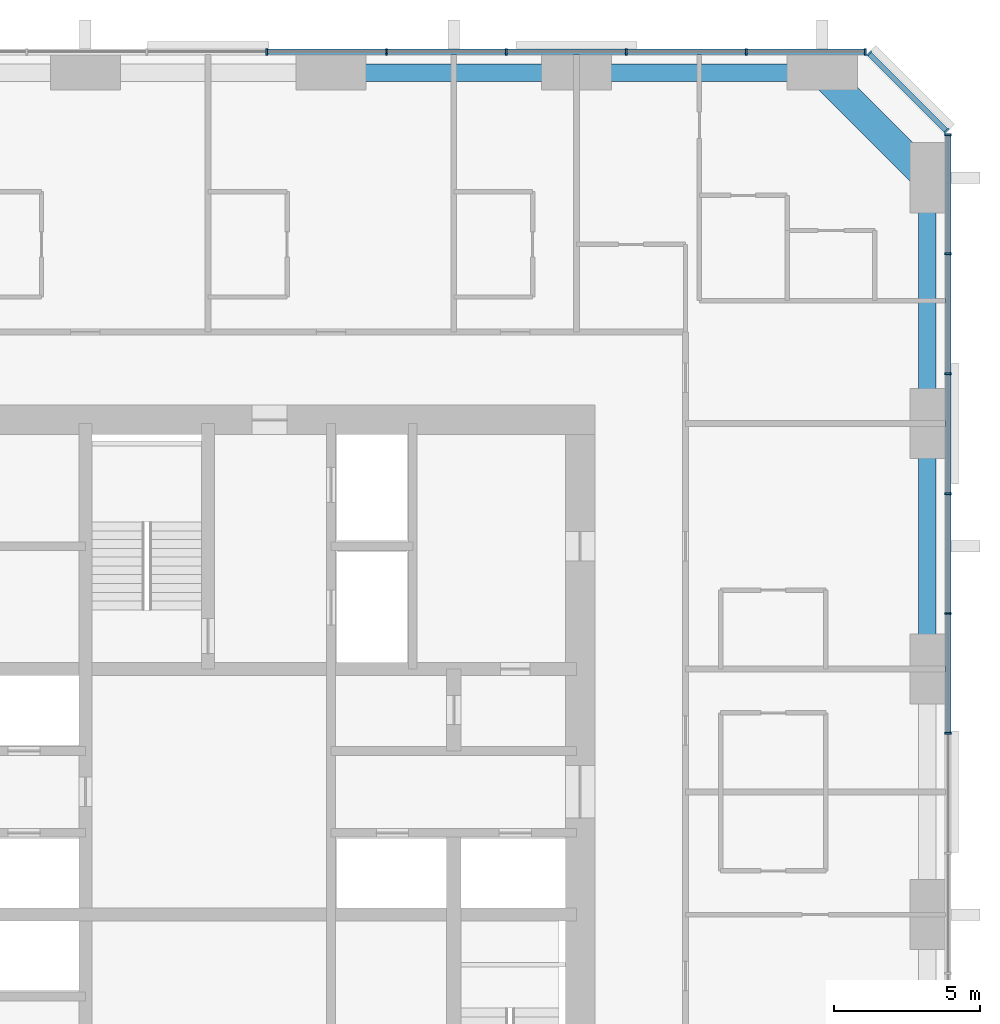
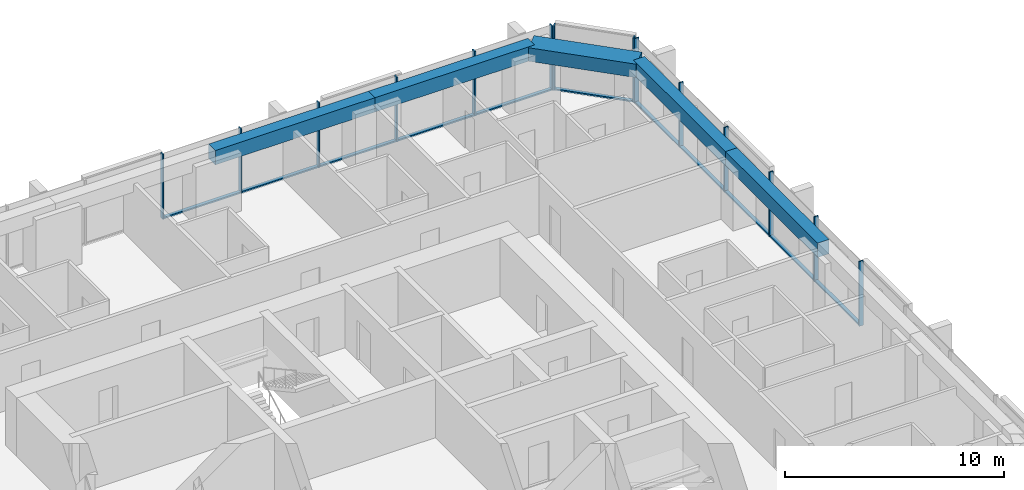
# One storey, part 6 of 14: 25 members, 5 beams, 3 elements without a shape of their own.
"""IFC4 building model written with IfcOpenShell, lengths in metres."""

from ifc_helpers import new_model, si_unit, direction, frame, origin, origin_2d, place, context, subcontext, project, spatial, rectangle, extrude, material, material_profile, profile_set, type_object, element, aggregate, save


model = new_model("IFC4")

# Units and contexts
model_context = context("Model", 3, precision=1e-05, world=origin(), true_north=direction((0.0, 1.0)))
body_context = subcontext(model_context, "Body", "Model", "MODEL_VIEW")
ifc_project = project(units=[si_unit("LENGTHUNIT", "METRE"), si_unit("AREAUNIT", "SQUARE_METRE"), si_unit("VOLUMEUNIT", "CUBIC_METRE"), si_unit("PLANEANGLEUNIT", "RADIAN"), si_unit("MASSUNIT", "GRAM", prefix="KILO")], contexts=[model_context])

# Site, building, storey
site_placement = place(None, origin())
site = spatial("IfcSite", under=ifc_project, at=site_placement, CompositionType="ELEMENT")
building_placement = place(site_placement, origin())
building = spatial("IfcBuilding", under=site, at=building_placement, Name="Dunama Terrace Hotel", CompositionType="ELEMENT")
storey_placement = place(building_placement, frame((0.0, 0.0, 140.39990234375)))
storey = spatial("IfcBuildingStorey", under=building, at=storey_placement, Name="L36", CompositionType="ELEMENT", Elevation=140.39990234375)

# Curtain wall, members
ifc_material_1 = material(Name="Aluminium curtain wall system", Category="aluminium")
curtain_wall_type = type_object("IfcCurtainWallType", Name="Unitised fritted glass wall CW-B", PredefinedType="NOTDEFINED", material=ifc_material_1)
curtain_wall_1_placement = place(storey_placement, origin())
curtain_wall_1 = element("IfcCurtainWall", 1, at=curtain_wall_1_placement, inside=storey, type_object=curtain_wall_type, Name="Unitised fritted glass wall CW-B L36", PredefinedType="NOTDEFINED")
ifc_material_2 = material(Name="Aluminium mullion", Category="aluminium")
ifc_material_profile_1 = material_profile(ifc_material_2, rectangle(XDim=0.06494140625, YDim=0.219970703125, at=origin_2d()), Name="CWB MULLION 65X220")
ifc_profile_set_1 = profile_set([ifc_material_profile_1], Name="Aluminium mullion")
member_type_1 = type_object("IfcMemberType", Name="CWB mullion 65x220", PredefinedType="MULLION", material=ifc_profile_set_1)
member_1_placement = place(storey_placement, frame((54.7099609375, 31.39990234375, 0.0), z_axis=(0.0, 0.0, 1.0), x_axis=(0.0, 1.0, 0.0)))
member_1 = element("IfcMember", 2, at=member_1_placement, type_object=member_type_1, Name="CWB mullion", PredefinedType="MULLION", context=body_context, shape_type="SweptSolid", body=[
    extrude(rectangle(XDim=0.06494140625, YDim=0.219970703125, at=origin_2d()), origin(), (0.0, 0.0, 1.0), 3.60009765625),
])
member_2_placement = place(storey_placement, frame((54.7099609375, 35.5, 0.0), z_axis=(0.0, 0.0, 1.0), x_axis=(0.0, 1.0, 0.0)))
member_2 = element("IfcMember", 3, at=member_2_placement, type_object=member_type_1, Name="CWB mullion", PredefinedType="MULLION", context=body_context, shape_type="SweptSolid", body=[
    extrude(rectangle(XDim=0.06494140625, YDim=0.219970703125, at=origin_2d()), origin(), (0.0, 0.0, 1.0), 3.60009765625),
])
member_3_placement = place(storey_placement, frame((54.7099609375, 39.60009765625, 0.0), z_axis=(0.0, 0.0, 1.0), x_axis=(0.0, 1.0, 0.0)))
member_3 = element("IfcMember", 4, at=member_3_placement, type_object=member_type_1, Name="CWB mullion", PredefinedType="MULLION", context=body_context, shape_type="SweptSolid", body=[
    extrude(rectangle(XDim=0.06494140625, YDim=0.219970703125, at=origin_2d()), origin(), (0.0, 0.0, 1.0), 3.60009765625),
])
member_4_placement = place(storey_placement, frame((54.7099609375, 43.699951171875, 0.0), z_axis=(0.0, 0.0, 1.0), x_axis=(0.0, 1.0, 0.0)))
member_4 = element("IfcMember", 5, at=member_4_placement, type_object=member_type_1, Name="CWB mullion", PredefinedType="MULLION", context=body_context, shape_type="SweptSolid", body=[
    extrude(rectangle(XDim=0.06494140625, YDim=0.219970703125, at=origin_2d()), origin(), (0.0, 0.0, 1.0), 3.60009765625),
])
member_5_placement = place(storey_placement, frame((54.7099609375, 47.800048828125, 0.0), z_axis=(0.0, 0.0, 1.0), x_axis=(0.0, 1.0, 0.0)))
member_5 = element("IfcMember", 6, at=member_5_placement, type_object=member_type_1, Name="CWB mullion", PredefinedType="MULLION", context=body_context, shape_type="SweptSolid", body=[
    extrude(rectangle(XDim=0.06494140625, YDim=0.219970703125, at=origin_2d()), origin(), (0.0, 0.0, 1.0), 3.60009765625),
])
member_6_placement = place(storey_placement, frame((54.7099609375, 51.866943359375, 0.0), z_axis=(0.0, 0.0, 1.0), x_axis=(0.0, 1.0, 0.0)))
member_6 = element("IfcMember", 7, at=member_6_placement, type_object=member_type_1, Name="CWB mullion", PredefinedType="MULLION", context=body_context, shape_type="SweptSolid", body=[
    extrude(rectangle(XDim=0.06494140625, YDim=0.219970703125, at=origin_2d()), origin(), (0.0, 0.0, 1.0), 3.60009765625),
])

curtain_wall_2_placement = place(storey_placement, origin())
curtain_wall_2 = element("IfcCurtainWall", 8, at=curtain_wall_2_placement, inside=storey, type_object=curtain_wall_type, Name="Unitised fritted glass wall CW-B L36", PredefinedType="NOTDEFINED")
member_7_placement = place(storey_placement, frame((54.655029296875, 52.0009765625, 0.0), z_axis=(0.0, 0.0, 1.0), x_axis=(-0.707106781187, 0.707106781187, 0.0)))
member_7 = element("IfcMember", 9, at=member_7_placement, type_object=member_type_1, Name="CWB mullion", PredefinedType="MULLION", context=body_context, shape_type="SweptSolid", body=[
    extrude(rectangle(XDim=0.06494140625, YDim=0.219970703125, at=origin_2d()), origin(), (0.0, 0.0, 1.0), 3.60009765625),
])
member_8_placement = place(storey_placement, frame((52.0009765625, 54.655029296875, 0.0), z_axis=(0.0, 0.0, 1.0), x_axis=(-0.707106781187, 0.707106781187, 0.0)))
member_8 = element("IfcMember", 10, at=member_8_placement, type_object=member_type_1, Name="CWB mullion", PredefinedType="MULLION", context=body_context, shape_type="SweptSolid", body=[
    extrude(rectangle(XDim=0.06494140625, YDim=0.219970703125, at=origin_2d()), origin(), (0.0, 0.0, 1.0), 3.60009765625),
])

curtain_wall_3_placement = place(storey_placement, origin())
curtain_wall_3 = element("IfcCurtainWall", 11, at=curtain_wall_3_placement, inside=storey, type_object=curtain_wall_type, Name="Unitised fritted glass wall CW-B L36", PredefinedType="NOTDEFINED")
member_9_placement = place(storey_placement, frame((51.866943359375, 54.7099609375, 0.0), z_axis=(0.0, 0.0, 1.0), x_axis=(-1.0, 0.0, 0.0)))
member_9 = element("IfcMember", 12, at=member_9_placement, type_object=member_type_1, Name="CWB mullion", PredefinedType="MULLION", context=body_context, shape_type="SweptSolid", body=[
    extrude(rectangle(XDim=0.06494140625, YDim=0.219970703125, at=origin_2d()), origin(), (0.0, 0.0, 1.0), 3.60009765625),
])
member_10_placement = place(storey_placement, frame((47.800048828125, 54.7099609375, 0.0), z_axis=(0.0, 0.0, 1.0), x_axis=(-1.0, 0.0, 0.0)))
member_10 = element("IfcMember", 13, at=member_10_placement, type_object=member_type_1, Name="CWB mullion", PredefinedType="MULLION", context=body_context, shape_type="SweptSolid", body=[
    extrude(rectangle(XDim=0.06494140625, YDim=0.219970703125, at=origin_2d()), origin(), (0.0, 0.0, 1.0), 3.60009765625),
])
member_11_placement = place(storey_placement, frame((43.699951171875, 54.7099609375, 0.0), z_axis=(0.0, 0.0, 1.0), x_axis=(-1.0, 0.0, 0.0)))
member_11 = element("IfcMember", 14, at=member_11_placement, type_object=member_type_1, Name="CWB mullion", PredefinedType="MULLION", context=body_context, shape_type="SweptSolid", body=[
    extrude(rectangle(XDim=0.06494140625, YDim=0.219970703125, at=origin_2d()), origin(), (0.0, 0.0, 1.0), 3.60009765625),
])
member_12_placement = place(storey_placement, frame((39.60009765625, 54.7099609375, 0.0), z_axis=(0.0, 0.0, 1.0), x_axis=(-1.0, 0.0, 0.0)))
member_12 = element("IfcMember", 15, at=member_12_placement, type_object=member_type_1, Name="CWB mullion", PredefinedType="MULLION", context=body_context, shape_type="SweptSolid", body=[
    extrude(rectangle(XDim=0.06494140625, YDim=0.219970703125, at=origin_2d()), origin(), (0.0, 0.0, 1.0), 3.60009765625),
])
member_13_placement = place(storey_placement, frame((35.5, 54.7099609375, 0.0), z_axis=(0.0, 0.0, 1.0), x_axis=(-1.0, 0.0, 0.0)))
member_13 = element("IfcMember", 16, at=member_13_placement, type_object=member_type_1, Name="CWB mullion", PredefinedType="MULLION", context=body_context, shape_type="SweptSolid", body=[
    extrude(rectangle(XDim=0.06494140625, YDim=0.219970703125, at=origin_2d()), origin(), (0.0, 0.0, 1.0), 3.60009765625),
])
member_14_placement = place(storey_placement, frame((31.39990234375, 54.7099609375, 0.0), z_axis=(0.0, 0.0, 1.0), x_axis=(-1.0, 0.0, 0.0)))
member_14 = element("IfcMember", 17, at=member_14_placement, type_object=member_type_1, Name="CWB mullion", PredefinedType="MULLION", context=body_context, shape_type="SweptSolid", body=[
    extrude(rectangle(XDim=0.06494140625, YDim=0.219970703125, at=origin_2d()), origin(), (0.0, 0.0, 1.0), 3.60009765625),
])

# Member
ifc_material_3 = material(Name="Aluminium transom", Category="aluminium")
ifc_material_profile_2 = material_profile(ifc_material_3, rectangle(XDim=0.179931640625, YDim=0.080078125, at=origin_2d()), Name="CWB TRANSOM 180X80")
ifc_profile_set_2 = profile_set([ifc_material_profile_2], Name="Aluminium transom")
member_type_2 = type_object("IfcMemberType", Name="CWB transom 180x80", PredefinedType="USERDEFINED", material=ifc_profile_set_2)
member_15_placement = place(storey_placement, frame((54.7099609375, 31.431884765625, 0.0400390625), z_axis=(0.0, 1.0, 0.0), x_axis=(-1.0, 0.0, 0.0)))
member_15 = element("IfcMember", 18, at=member_15_placement, type_object=member_type_2, Name="CWB transom", ObjectType="TRANSOM", PredefinedType="USERDEFINED", context=body_context, shape_type="SweptSolid", body=[
    extrude(rectangle(XDim=0.179931640625, YDim=0.080078125, at=origin_2d()), origin(), (0.0, 0.0, 1.0), 4.0361328125),
])

member_16_placement = place(storey_placement, frame((54.7099609375, 35.531982421875, 0.0400390625), z_axis=(0.0, 1.0, 0.0), x_axis=(-1.0, 0.0, 0.0)))
member_16 = element("IfcMember", 19, at=member_16_placement, type_object=member_type_2, Name="CWB transom", ObjectType="TRANSOM", PredefinedType="USERDEFINED", context=body_context, shape_type="SweptSolid", body=[
    extrude(rectangle(XDim=0.179931640625, YDim=0.080078125, at=origin_2d()), origin(), (0.0, 0.0, 1.0), 4.0361328125),
])

member_17_placement = place(storey_placement, frame((54.7099609375, 39.633056640625, 0.0400390625), z_axis=(0.0, 1.0, 0.0), x_axis=(-1.0, 0.0, 0.0)))
member_17 = element("IfcMember", 20, at=member_17_placement, type_object=member_type_2, Name="CWB transom", ObjectType="TRANSOM", PredefinedType="USERDEFINED", context=body_context, shape_type="SweptSolid", body=[
    extrude(rectangle(XDim=0.179931640625, YDim=0.080078125, at=origin_2d()), origin(), (0.0, 0.0, 1.0), 4.034912109375),
])

member_18_placement = place(storey_placement, frame((54.7099609375, 43.73291015625, 0.0400390625), z_axis=(0.0, 1.0, 0.0), x_axis=(-1.0, 0.0, 0.0)))
member_18 = element("IfcMember", 21, at=member_18_placement, type_object=member_type_2, Name="CWB transom", ObjectType="TRANSOM", PredefinedType="USERDEFINED", context=body_context, shape_type="SweptSolid", body=[
    extrude(rectangle(XDim=0.179931640625, YDim=0.080078125, at=origin_2d()), origin(), (0.0, 0.0, 1.0), 4.0341796875),
])

member_19_placement = place(storey_placement, frame((54.7099609375, 47.83203125, 0.0400390625), z_axis=(0.0, 1.0, 0.0), x_axis=(-1.0, 0.0, 0.0)))
member_19 = element("IfcMember", 22, at=member_19_placement, type_object=member_type_2, Name="CWB transom", ObjectType="TRANSOM", PredefinedType="USERDEFINED", context=body_context, shape_type="SweptSolid", body=[
    extrude(rectangle(XDim=0.179931640625, YDim=0.080078125, at=origin_2d()), origin(), (0.0, 0.0, 1.0), 4.0029296875),
])

aggregate(curtain_wall_1, [member_1, member_2, member_3, member_4, member_5, member_6, member_15, member_16, member_17, member_18, member_19])

member_20_placement = place(storey_placement, frame((54.632080078125, 52.02392578125, 0.0400390625), z_axis=(-0.707106781187, 0.707106781187, 0.0), x_axis=(-0.707106781187, -0.707106781187, 0.0)))
member_20 = element("IfcMember", 23, at=member_20_placement, type_object=member_type_2, Name="CWB transom", ObjectType="TRANSOM", PredefinedType="USERDEFINED", context=body_context, shape_type="SweptSolid", body=[
    extrude(rectangle(XDim=0.179931640625, YDim=0.080078125, at=origin_2d()), origin(), (0.0, 0.0, 1.0), 3.6884765625),
])

aggregate(curtain_wall_2, [member_7, member_8, member_20])

member_21_placement = place(storey_placement, frame((51.8349609375, 54.7099609375, 0.0400390625), z_axis=(-1.0, 0.0, 0.0), x_axis=(0.0, -1.0, 0.0)))
member_21 = element("IfcMember", 24, at=member_21_placement, type_object=member_type_2, Name="CWB transom", ObjectType="TRANSOM", PredefinedType="USERDEFINED", context=body_context, shape_type="SweptSolid", body=[
    extrude(rectangle(XDim=0.179931640625, YDim=0.080078125, at=origin_2d()), origin(), (0.0, 0.0, 1.0), 4.0029296875),
])

member_22_placement = place(storey_placement, frame((47.76708984375, 54.7099609375, 0.0400390625), z_axis=(-1.0, 0.0, 0.0), x_axis=(0.0, -1.0, 0.0)))
member_22 = element("IfcMember", 25, at=member_22_placement, type_object=member_type_2, Name="CWB transom", ObjectType="TRANSOM", PredefinedType="USERDEFINED", context=body_context, shape_type="SweptSolid", body=[
    extrude(rectangle(XDim=0.179931640625, YDim=0.080078125, at=origin_2d()), origin(), (0.0, 0.0, 1.0), 4.0341796875),
])

member_23_placement = place(storey_placement, frame((43.6669921875, 54.7099609375, 0.0400390625), z_axis=(-1.0, 0.0, 0.0), x_axis=(0.0, -1.0, 0.0)))
member_23 = element("IfcMember", 26, at=member_23_placement, type_object=member_type_2, Name="CWB transom", ObjectType="TRANSOM", PredefinedType="USERDEFINED", context=body_context, shape_type="SweptSolid", body=[
    extrude(rectangle(XDim=0.179931640625, YDim=0.080078125, at=origin_2d()), origin(), (0.0, 0.0, 1.0), 4.033935546875),
])

member_24_placement = place(storey_placement, frame((39.56689453125, 54.7099609375, 0.0400390625), z_axis=(-1.0, 0.0, 0.0), x_axis=(0.0, -1.0, 0.0)))
member_24 = element("IfcMember", 27, at=member_24_placement, type_object=member_type_2, Name="CWB transom", ObjectType="TRANSOM", PredefinedType="USERDEFINED", context=body_context, shape_type="SweptSolid", body=[
    extrude(rectangle(XDim=0.179931640625, YDim=0.080078125, at=origin_2d()), origin(), (0.0, 0.0, 1.0), 4.034912109375),
])

member_25_placement = place(storey_placement, frame((35.468017578125, 54.7099609375, 0.0400390625), z_axis=(-1.0, 0.0, 0.0), x_axis=(0.0, -1.0, 0.0)))
member_25 = element("IfcMember", 28, at=member_25_placement, type_object=member_type_2, Name="CWB transom", ObjectType="TRANSOM", PredefinedType="USERDEFINED", context=body_context, shape_type="SweptSolid", body=[
    extrude(rectangle(XDim=0.179931640625, YDim=0.080078125, at=origin_2d()), origin(), (0.0, 0.0, 1.0), 4.0361328125),
])

aggregate(curtain_wall_3, [member_9, member_10, member_11, member_12, member_13, member_14, member_21, member_22, member_23, member_24, member_25])

# Beams
ifc_material_4 = material(Name="Concrete C50/60", Category="concrete")
ifc_material_profile_3 = material_profile(ifc_material_4, rectangle(XDim=1.0, YDim=0.75, at=origin_2d()), Name="RC 1000x750")
ifc_profile_set_3 = profile_set([ifc_material_profile_3], Name="Concrete C50/60")
beam_type_1 = type_object("IfcBeamType", Name="Edge beam RC 1000x750", PredefinedType="SPANDREL", material=ifc_profile_set_3)
beam_placement = place(storey_placement, frame((50.39990234375, 54.0, 3.22509765625), z_axis=(0.707106781187, -0.707106781187, 0.0), x_axis=(0.707106781187, 0.707106781187, 0.0)))
element("IfcBeam", 29, at=beam_placement, inside=storey, type_object=beam_type_1, Name="Corner edge beam under L37", PredefinedType="SPANDREL", context=body_context, shape_type="SweptSolid", body=[
    extrude(rectangle(XDim=1.0, YDim=0.75, at=origin_2d()), origin(), (0.0, 0.0, 1.0), 5.09130859375),
])
ifc_material_5 = material(Name="Concrete C40/50", Category="concrete")
ifc_material_profile_4 = material_profile(ifc_material_5, rectangle(XDim=0.60009765625, YDim=0.800048828125, at=origin_2d()), Name="RC 600x800")
ifc_profile_set_4 = profile_set([ifc_material_profile_4], Name="Concrete C40/50")
beam_type_2 = type_object("IfcBeamType", Name="Edge beam RC 600x800", PredefinedType="SPANDREL", material=ifc_profile_set_4)
for number, where, z_axis, x_axis, name in (
    (30, (54.0, 33.60009765625, 3.2001953125), (0.0, 1.0, 0.0), (-1.0, 0.0, 0.0), "Edge beam under L37"),
    (31, (54.0, 42.0, 3.2001953125), (0.0, 1.0, 0.0), (-1.0, 0.0, 0.0), "Edge beam under L37"),
    (32, (33.60009765625, 54.0, 3.2001953125), (1.0, 0.0, 0.0), (0.0, 1.0, 0.0), "Edge beam under L37"),
    (33, (42.0, 54.0, 3.2001953125), (1.0, 0.0, 0.0), (0.0, 1.0, 0.0), "Edge beam under L37"),
):
    element("IfcBeam", number, at=place(storey_placement, frame(where, z_axis=z_axis, x_axis=x_axis)), inside=storey, type_object=beam_type_2, Name=name, PredefinedType="SPANDREL", context=body_context, shape_type="SweptSolid", body=[
        extrude(rectangle(XDim=0.60009765625, YDim=0.800048828125, at=origin_2d()), origin(), (0.0, 0.0, 1.0), 8.39990234375),
    ])

save(model, "model.ifc")
